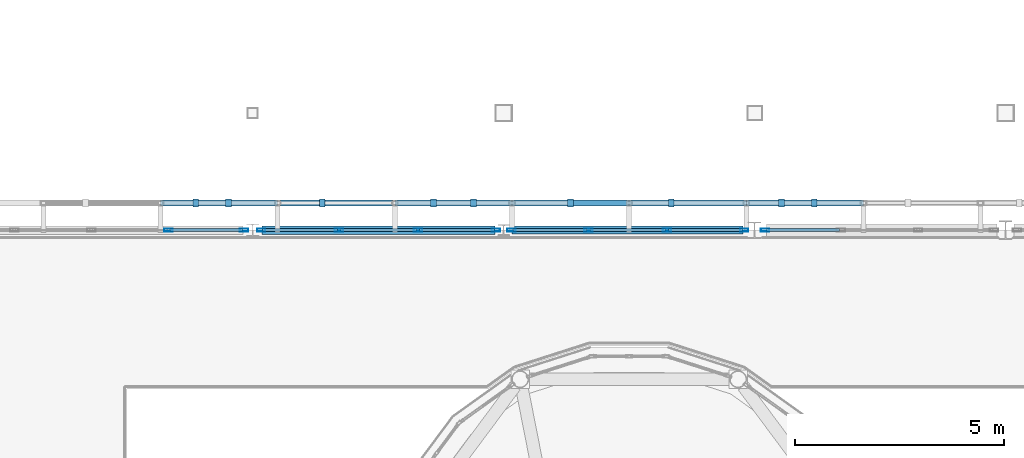
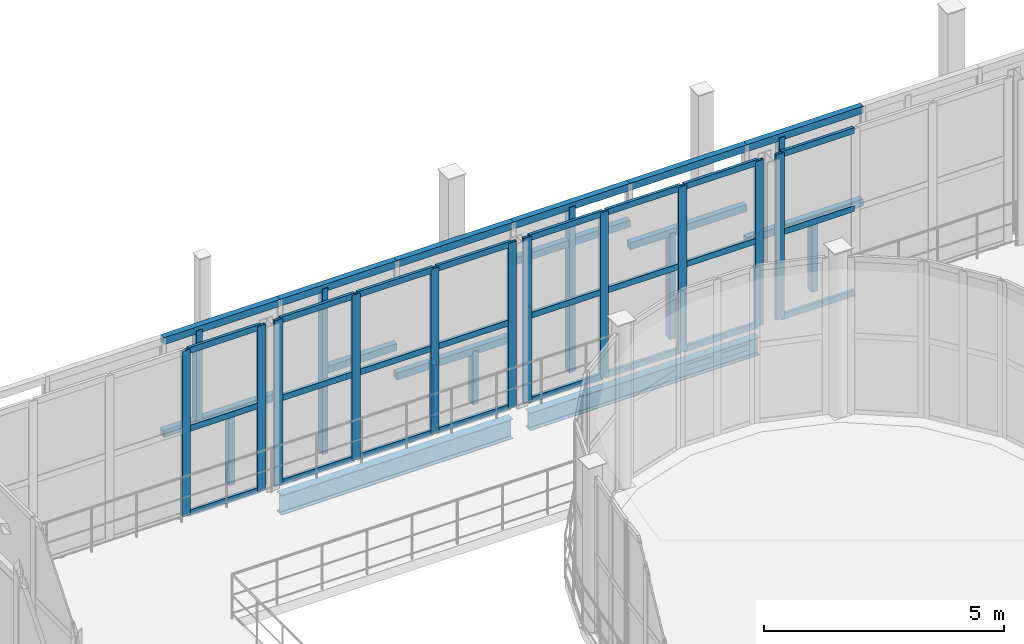
# One storey, part 50 of 121: 56 members, 2 beams, 4 elements without a shape of their own.
"""IFC4 building model written with IfcOpenShell, lengths in metres."""

from ifc_helpers import new_model, si_unit, direction, frame, origin, origin_2d, place, context, subcontext, project, spatial, rectangle, hollow_rectangle, i_section, extrude, material, layer, layer_set, material_profile, profile_set, type_object, element, aggregate, save


model = new_model("IFC4")

# Units and contexts
model_context = context("Model", 3, precision=1e-05, world=origin(), true_north=direction((0.0, 1.0)))
body_context = subcontext(model_context, "Body", "Model", "MODEL_VIEW")
ifc_project = project(units=[si_unit("LENGTHUNIT", "METRE"), si_unit("AREAUNIT", "SQUARE_METRE"), si_unit("VOLUMEUNIT", "CUBIC_METRE"), si_unit("PLANEANGLEUNIT", "RADIAN"), si_unit("MASSUNIT", "GRAM", prefix="KILO")], contexts=[model_context])

# Site, building, storey
site_placement = place(None, origin())
site = spatial("IfcSite", under=ifc_project, at=site_placement, CompositionType="ELEMENT")
building_placement = place(site_placement, origin())
building = spatial("IfcBuilding", under=site, at=building_placement, Name="Vinh Khe Railworks Police Headquarters", CompositionType="ELEMENT")
storey_placement = place(building_placement, frame((0.0, 0.0, 4.800048828125)))
storey = spatial("IfcBuildingStorey", under=building, at=storey_placement, Name="L01", CompositionType="ELEMENT", Elevation=4.800048828125)

# Members
ifc_material_1 = material(Name="Salvaged ironwood timber", Category="wood")
ifc_material_profile_1 = material_profile(ifc_material_1, rectangle(XDim=0.139892578125, YDim=0.179931640625, at=origin_2d()), Name="TIMBER 140x180")
ifc_profile_set_1 = profile_set([ifc_material_profile_1], Name="Salvaged ironwood timber")
member_type_1 = type_object("IfcMemberType", Name="MEM-QUILT-STILE", PredefinedType="CHORD", material=ifc_profile_set_1)
for number, where, z_axis, x_axis, name in (
    (1, (32.0, 59.449951171875, 4.119873046875), (1.0, 0.0, 0.0), (0.0, 1.0, 0.0), "Salvaged Timber Quilt Transom N-L01-02-TOP"),
    (2, (32.0, 59.449951171875, 1.763916015625), (1.0, 0.0, 0.0), (0.0, 1.0, 0.0), "Salvaged Timber Quilt Transom N-L01-02-M1"),
):
    element("IfcMember", number, at=place(storey_placement, frame(where, z_axis=z_axis, x_axis=x_axis)), inside=storey, type_object=member_type_1, Name=name, PredefinedType="CHORD", context=body_context, shape_type="SweptSolid", body=[
        extrude(rectangle(XDim=0.139892578125, YDim=0.179931640625, at=origin_2d()), origin(), (0.0, 0.0, 1.0), 2.800048828125),
    ])
member_1_placement = place(storey_placement, frame((33.6240234375, 59.449951171875, -0.080078125), z_axis=(0.0, 0.0, 1.0), x_axis=(1.0, 0.0, 0.0)))
element("IfcMember", 3, at=member_1_placement, inside=storey, type_object=member_type_1, Name="Salvaged Timber Quilt Stile N-L01-02-V1", PredefinedType="POST", context=body_context, shape_type="SweptSolid", body=[
    extrude(rectangle(XDim=0.139892578125, YDim=0.179931640625, at=origin_2d()), origin(), (0.0, 0.0, 1.0), 1.843994140625),
])
member_2_placement = place(storey_placement, frame((32.840087890625, 59.449951171875, 1.763916015625), z_axis=(0.0, 0.0, 1.0), x_axis=(1.0, 0.0, 0.0)))
element("IfcMember", 4, at=member_2_placement, inside=storey, type_object=member_type_1, Name="Salvaged Timber Quilt Stile N-L01-02-V2", PredefinedType="POST", context=body_context, shape_type="SweptSolid", body=[
    extrude(rectangle(XDim=0.139892578125, YDim=0.179931640625, at=origin_2d()), origin(), (0.0, 0.0, 1.0), 2.35595703125),
])
member_3_placement = place(storey_placement, frame((34.800048828125, 59.449951171875, 4.119873046875), z_axis=(1.0, 0.0, 0.0), x_axis=(0.0, 1.0, 0.0)))
element("IfcMember", 5, at=member_3_placement, inside=storey, type_object=member_type_1, Name="Salvaged Timber Quilt Transom N-L01-03-TOP", PredefinedType="CHORD", context=body_context, shape_type="SweptSolid", body=[
    extrude(rectangle(XDim=0.139892578125, YDim=0.179931640625, at=origin_2d()), origin(), (0.0, 0.0, 1.0), 2.800048828125),
])
member_4_placement = place(storey_placement, frame((35.864013671875, 59.449951171875, -0.080078125), z_axis=(0.0, 0.0, 1.0), x_axis=(1.0, 0.0, 0.0)))
element("IfcMember", 6, at=member_4_placement, inside=storey, type_object=member_type_1, Name="Salvaged Timber Quilt Stile N-L01-03-V1", PredefinedType="POST", context=body_context, shape_type="SweptSolid", body=[
    extrude(rectangle(XDim=0.139892578125, YDim=0.179931640625, at=origin_2d()), origin(), (0.0, 0.0, 1.0), 4.199951171875),
])
member_5_placement = place(storey_placement, frame((35.864013671875, 59.449951171875, 2.015869140625), z_axis=(1.0, 0.0, 0.0), x_axis=(0.0, 1.0, 0.0)))
element("IfcMember", 7, at=member_5_placement, inside=storey, type_object=member_type_1, Name="Salvaged Timber Quilt Transom N-L01-03-M1", PredefinedType="CHORD", context=body_context, shape_type="SweptSolid", body=[
    extrude(rectangle(XDim=0.139892578125, YDim=0.179931640625, at=origin_2d()), origin(), (0.0, 0.0, 1.0), 1.736083984375),
])
for number, where, z_axis, x_axis, name in (
    (8, (37.60009765625, 59.449951171875, 4.119873046875), (1.0, 0.0, 0.0), (0.0, 1.0, 0.0), "Salvaged Timber Quilt Transom N-L01-04-TOP"),
    (9, (37.60009765625, 59.449951171875, 1.260009765625), (1.0, 0.0, 0.0), (0.0, 1.0, 0.0), "Salvaged Timber Quilt Transom N-L01-04-M1"),
):
    element("IfcMember", number, at=place(storey_placement, frame(where, z_axis=z_axis, x_axis=x_axis)), inside=storey, type_object=member_type_1, Name=name, PredefinedType="CHORD", context=body_context, shape_type="SweptSolid", body=[
        extrude(rectangle(XDim=0.139892578125, YDim=0.179931640625, at=origin_2d()), origin(), (0.0, 0.0, 1.0), 2.7998046875),
    ])
for number, where, z_axis, x_axis, name in (
    (10, (38.52392578125, 59.449951171875, -0.080078125), (0.0, 0.0, 1.0), (1.0, 0.0, 0.0), "Salvaged Timber Quilt Stile N-L01-04-V1"),
    (11, (39.47607421875, 59.449951171875, -0.080078125), (0.0, 0.0, 1.0), (1.0, 0.0, 0.0), "Salvaged Timber Quilt Stile N-L01-04-V2"),
):
    element("IfcMember", number, at=place(storey_placement, frame(where, z_axis=z_axis, x_axis=x_axis)), inside=storey, type_object=member_type_1, Name=name, PredefinedType="POST", context=body_context, shape_type="SweptSolid", body=[
        extrude(rectangle(XDim=0.139892578125, YDim=0.179931640625, at=origin_2d()), origin(), (0.0, 0.0, 1.0), 1.340087890625),
    ])
for number, where, z_axis, x_axis, name in (
    (12, (40.39990234375, 59.449951171875, 4.119873046875), (1.0, 0.0, 0.0), (0.0, 1.0, 0.0), "Salvaged Timber Quilt Transom N-L01-05-TOP"),
    (13, (40.39990234375, 59.449951171875, 3.19189453125), (1.0, 0.0, 0.0), (0.0, 1.0, 0.0), "Salvaged Timber Quilt Transom N-L01-05-M1"),
):
    element("IfcMember", number, at=place(storey_placement, frame(where, z_axis=z_axis, x_axis=x_axis)), inside=storey, type_object=member_type_1, Name=name, PredefinedType="CHORD", context=body_context, shape_type="SweptSolid", body=[
        extrude(rectangle(XDim=0.139892578125, YDim=0.179931640625, at=origin_2d()), origin(), (0.0, 0.0, 1.0), 2.800048828125),
    ])
member_6_placement = place(storey_placement, frame((41.800048828125, 59.449951171875, -0.080078125), z_axis=(0.0, 0.0, 1.0), x_axis=(1.0, 0.0, 0.0)))
element("IfcMember", 14, at=member_6_placement, inside=storey, type_object=member_type_1, Name="Salvaged Timber Quilt Stile N-L01-05-V1", PredefinedType="POST", context=body_context, shape_type="SweptSolid", body=[
    extrude(rectangle(XDim=0.139892578125, YDim=0.179931640625, at=origin_2d()), origin(), (0.0, 0.0, 1.0), 4.199951171875),
])
for number, where, z_axis, x_axis, name in (
    (15, (43.199951171875, 59.449951171875, 4.119873046875), (1.0, 0.0, 0.0), (0.0, 1.0, 0.0), "Salvaged Timber Quilt Transom N-L01-06-TOP"),
    (16, (43.199951171875, 59.449951171875, 2.60400390625), (1.0, 0.0, 0.0), (0.0, 1.0, 0.0), "Salvaged Timber Quilt Transom N-L01-06-M1"),
):
    element("IfcMember", number, at=place(storey_placement, frame(where, z_axis=z_axis, x_axis=x_axis)), inside=storey, type_object=member_type_1, Name=name, PredefinedType="CHORD", context=body_context, shape_type="SweptSolid", body=[
        extrude(rectangle(XDim=0.139892578125, YDim=0.179931640625, at=origin_2d()), origin(), (0.0, 0.0, 1.0), 2.800048828125),
    ])
member_7_placement = place(storey_placement, frame((44.2080078125, 59.449951171875, -0.080078125), z_axis=(0.0, 0.0, 1.0), x_axis=(1.0, 0.0, 0.0)))
element("IfcMember", 17, at=member_7_placement, inside=storey, type_object=member_type_1, Name="Salvaged Timber Quilt Stile N-L01-06-V1", PredefinedType="POST", context=body_context, shape_type="SweptSolid", body=[
    extrude(rectangle(XDim=0.139892578125, YDim=0.179931640625, at=origin_2d()), origin(), (0.0, 0.0, 1.0), 2.68408203125),
])
for number, where, z_axis, x_axis, name in (
    (18, (46.0, 59.449951171875, 4.119873046875), (1.0, 0.0, 0.0), (0.0, 1.0, 0.0), "Salvaged Timber Quilt Transom N-L01-07-TOP"),
    (19, (46.0, 59.449951171875, 1.763916015625), (1.0, 0.0, 0.0), (0.0, 1.0, 0.0), "Salvaged Timber Quilt Transom N-L01-07-M1"),
):
    element("IfcMember", number, at=place(storey_placement, frame(where, z_axis=z_axis, x_axis=x_axis)), inside=storey, type_object=member_type_1, Name=name, PredefinedType="CHORD", context=body_context, shape_type="SweptSolid", body=[
        extrude(rectangle(XDim=0.139892578125, YDim=0.179931640625, at=origin_2d()), origin(), (0.0, 0.0, 1.0), 2.800048828125),
    ])
member_8_placement = place(storey_placement, frame((47.6240234375, 59.449951171875, -0.080078125), z_axis=(0.0, 0.0, 1.0), x_axis=(1.0, 0.0, 0.0)))
element("IfcMember", 20, at=member_8_placement, inside=storey, type_object=member_type_1, Name="Salvaged Timber Quilt Stile N-L01-07-V1", PredefinedType="POST", context=body_context, shape_type="SweptSolid", body=[
    extrude(rectangle(XDim=0.139892578125, YDim=0.179931640625, at=origin_2d()), origin(), (0.0, 0.0, 1.0), 1.843994140625),
])
member_9_placement = place(storey_placement, frame((46.840087890625, 59.449951171875, 1.763916015625), z_axis=(0.0, 0.0, 1.0), x_axis=(1.0, 0.0, 0.0)))
element("IfcMember", 21, at=member_9_placement, inside=storey, type_object=member_type_1, Name="Salvaged Timber Quilt Stile N-L01-07-V2", PredefinedType="POST", context=body_context, shape_type="SweptSolid", body=[
    extrude(rectangle(XDim=0.139892578125, YDim=0.179931640625, at=origin_2d()), origin(), (0.0, 0.0, 1.0), 2.35595703125),
])

# Curtain wall, members
ifc_material_2 = material(Name="Anodised aluminium and low-iron glass", Category="aluminium")
ifc_layer = layer(ifc_material_2, 0.179931640625)
ifc_layer_set = layer_set([ifc_layer], Name="Anodised aluminium and low-iron glass")
curtain_wall_type = type_object("IfcCurtainWallType", Name="CW-CUBE-UNIT", PredefinedType="USERDEFINED", material=ifc_layer_set)
curtain_wall_1_placement = place(storey_placement, origin())
curtain_wall_1 = element("IfcCurtainWall", 22, at=curtain_wall_1_placement, inside=storey, type_object=curtain_wall_type, Name="Entrance Hall Curtain Wall L01 N-1", ObjectType="UNITISED GLAZING", PredefinedType="USERDEFINED")
ifc_material_3 = material(Name="Anodised aluminium 6063-T6", Category="aluminium")
ifc_material_profile_2 = material_profile(ifc_material_3, hollow_rectangle(XDim=0.070068359375, YDim=0.199951171875, WallThickness=0.0048828125, at=origin_2d()), Name="CW-M 70x200x5")
ifc_profile_set_2 = profile_set([ifc_material_profile_2], Name="Anodised aluminium 6063-T6")
member_type_2 = type_object("IfcMemberType", Name="MULL-CWM-03", PredefinedType="MULLION", material=ifc_profile_set_2)
member_10_placement = place(storey_placement, frame((32.188720703125, 58.800048828125, 0.0), z_axis=(0.0, 0.0, 1.0), x_axis=(0.0, 1.0, 0.0)))
member_10 = element("IfcMember", 23, at=member_10_placement, type_object=member_type_2, Name="CW-01 mullion 4", PredefinedType="MULLION", context=body_context, shape_type="SweptSolid", body=[
    extrude(hollow_rectangle(XDim=0.070068359375, YDim=0.199951171875, WallThickness=0.0048828125, at=origin_2d()), origin(), (0.0, 0.0, 1.0), 4.199951171875),
])
member_11_placement = place(storey_placement, frame((33.9951171875, 58.800048828125, 0.0), z_axis=(0.0, 0.0, 1.0), x_axis=(0.0, 1.0, 0.0)))
member_11 = element("IfcMember", 24, at=member_11_placement, type_object=member_type_2, Name="CW-01 mullion 5", PredefinedType="MULLION", context=body_context, shape_type="SweptSolid", body=[
    extrude(hollow_rectangle(XDim=0.070068359375, YDim=0.199951171875, WallThickness=0.0048828125, at=origin_2d()), origin(), (0.0, 0.0, 1.0), 4.199951171875),
])

curtain_wall_2_placement = place(storey_placement, origin())
curtain_wall_2 = element("IfcCurtainWall", 25, at=curtain_wall_2_placement, inside=storey, type_object=curtain_wall_type, Name="Entrance Hall Curtain Wall L01 N-2", ObjectType="UNITISED GLAZING", PredefinedType="USERDEFINED")
member_12_placement = place(storey_placement, frame((34.405029296875, 58.800048828125, 0.0), z_axis=(0.0, 0.0, 1.0), x_axis=(0.0, 1.0, 0.0)))
member_12 = element("IfcMember", 26, at=member_12_placement, type_object=member_type_2, Name="CW-01 mullion 1", PredefinedType="MULLION", context=body_context, shape_type="SweptSolid", body=[
    extrude(hollow_rectangle(XDim=0.070068359375, YDim=0.199951171875, WallThickness=0.0048828125, at=origin_2d()), origin(), (0.0, 0.0, 1.0), 4.199951171875),
])
member_13_placement = place(storey_placement, frame((36.263427734375, 58.800048828125, 0.0), z_axis=(0.0, 0.0, 1.0), x_axis=(0.0, 1.0, 0.0)))
member_13 = element("IfcMember", 27, at=member_13_placement, type_object=member_type_2, Name="CW-01 mullion 2", PredefinedType="MULLION", context=body_context, shape_type="SweptSolid", body=[
    extrude(hollow_rectangle(XDim=0.070068359375, YDim=0.199951171875, WallThickness=0.0048828125, at=origin_2d()), origin(), (0.0, 0.0, 1.0), 4.199951171875),
])
member_14_placement = place(storey_placement, frame((38.15673828125, 58.800048828125, 0.0), z_axis=(0.0, 0.0, 1.0), x_axis=(0.0, 1.0, 0.0)))
member_14 = element("IfcMember", 28, at=member_14_placement, type_object=member_type_2, Name="CW-01 mullion 3", PredefinedType="MULLION", context=body_context, shape_type="SweptSolid", body=[
    extrude(hollow_rectangle(XDim=0.070068359375, YDim=0.199951171875, WallThickness=0.0048828125, at=origin_2d()), origin(), (0.0, 0.0, 1.0), 4.199951171875),
])
member_15_placement = place(storey_placement, frame((40.014892578125, 58.800048828125, 0.0), z_axis=(0.0, 0.0, 1.0), x_axis=(0.0, 1.0, 0.0)))
member_15 = element("IfcMember", 29, at=member_15_placement, type_object=member_type_2, Name="CW-01 mullion 4", PredefinedType="MULLION", context=body_context, shape_type="SweptSolid", body=[
    extrude(hollow_rectangle(XDim=0.070068359375, YDim=0.199951171875, WallThickness=0.0048828125, at=origin_2d()), origin(), (0.0, 0.0, 1.0), 4.199951171875),
])

curtain_wall_3_placement = place(storey_placement, origin())
curtain_wall_3 = element("IfcCurtainWall", 30, at=curtain_wall_3_placement, inside=storey, type_object=curtain_wall_type, Name="Entrance Hall Curtain Wall L01 N-3", ObjectType="UNITISED GLAZING", PredefinedType="USERDEFINED")
member_16_placement = place(storey_placement, frame((40.385009765625, 58.800048828125, 0.0), z_axis=(0.0, 0.0, 1.0), x_axis=(0.0, 1.0, 0.0)))
member_16 = element("IfcMember", 31, at=member_16_placement, type_object=member_type_2, Name="CW-01 mullion 1", PredefinedType="MULLION", context=body_context, shape_type="SweptSolid", body=[
    extrude(hollow_rectangle(XDim=0.070068359375, YDim=0.199951171875, WallThickness=0.0048828125, at=origin_2d()), origin(), (0.0, 0.0, 1.0), 4.199951171875),
])
member_17_placement = place(storey_placement, frame((42.228271484375, 58.800048828125, 0.0), z_axis=(0.0, 0.0, 1.0), x_axis=(0.0, 1.0, 0.0)))
member_17 = element("IfcMember", 32, at=member_17_placement, type_object=member_type_2, Name="CW-01 mullion 2", PredefinedType="MULLION", context=body_context, shape_type="SweptSolid", body=[
    extrude(hollow_rectangle(XDim=0.070068359375, YDim=0.199951171875, WallThickness=0.0048828125, at=origin_2d()), origin(), (0.0, 0.0, 1.0), 4.199951171875),
])
member_18_placement = place(storey_placement, frame((44.106689453125, 58.800048828125, 0.0), z_axis=(0.0, 0.0, 1.0), x_axis=(0.0, 1.0, 0.0)))
member_18 = element("IfcMember", 33, at=member_18_placement, type_object=member_type_2, Name="CW-01 mullion 3", PredefinedType="MULLION", context=body_context, shape_type="SweptSolid", body=[
    extrude(hollow_rectangle(XDim=0.070068359375, YDim=0.199951171875, WallThickness=0.0048828125, at=origin_2d()), origin(), (0.0, 0.0, 1.0), 4.199951171875),
])
member_19_placement = place(storey_placement, frame((45.949951171875, 58.800048828125, 0.0), z_axis=(0.0, 0.0, 1.0), x_axis=(0.0, 1.0, 0.0)))
member_19 = element("IfcMember", 34, at=member_19_placement, type_object=member_type_2, Name="CW-01 mullion 4", PredefinedType="MULLION", context=body_context, shape_type="SweptSolid", body=[
    extrude(hollow_rectangle(XDim=0.070068359375, YDim=0.199951171875, WallThickness=0.0048828125, at=origin_2d()), origin(), (0.0, 0.0, 1.0), 4.199951171875),
])

# Curtain wall, member
curtain_wall_4_placement = place(storey_placement, origin())
curtain_wall_4 = element("IfcCurtainWall", 35, at=curtain_wall_4_placement, inside=storey, type_object=curtain_wall_type, Name="Entrance Hall Curtain Wall L01 N-4", ObjectType="UNITISED GLAZING", PredefinedType="USERDEFINED")
member_20_placement = place(storey_placement, frame((46.449951171875, 58.800048828125, 0.0), z_axis=(0.0, 0.0, 1.0), x_axis=(0.0, 1.0, 0.0)))
member_20 = element("IfcMember", 36, at=member_20_placement, type_object=member_type_2, Name="CW-01 mullion 1", PredefinedType="MULLION", context=body_context, shape_type="SweptSolid", body=[
    extrude(hollow_rectangle(XDim=0.070068359375, YDim=0.199951171875, WallThickness=0.0048828125, at=origin_2d()), origin(), (0.0, 0.0, 1.0), 4.199951171875),
])

# Beams
ifc_material_4 = material(Name="Steel S355JR", Category="steel")
ifc_material_profile_3 = material_profile(ifc_material_4, i_section(OverallWidth=0.18994140625, OverallDepth=0.449951171875, WebThickness=0.009521484375, FlangeThickness=0.0146484375, FilletRadius=0.02099609375, at=origin_2d()), Name="IPE 450")
ifc_profile_set_3 = profile_set([ifc_material_profile_3], Name="Steel S355JR")
beam_type_1 = type_object("IfcBeamType", Name="Steel Girder IPE 450", PredefinedType="BEAM", material=ifc_profile_set_3)
beam_1_placement = place(storey_placement, frame((40.405029296875, 58.800048828125, -0.465087890625), z_axis=(1.0, 0.0, 0.0), x_axis=(0.0, 1.0, 0.0)))
element("IfcBeam", 37, at=beam_1_placement, inside=storey, type_object=beam_type_1, Name="Girder BM-L01-EW-SB-20-0462", PredefinedType="BEAM", context=body_context, shape_type="SweptSolid", body=[
    extrude(i_section(OverallWidth=0.18994140625, OverallDepth=0.449951171875, WebThickness=0.009521484375, FlangeThickness=0.0146484375, FilletRadius=0.02099609375, at=origin_2d()), origin(), (0.0, 0.0, 1.0), 5.514892578125),
])
ifc_material_profile_4 = material_profile(ifc_material_4, i_section(OverallWidth=0.199951171875, OverallDepth=0.5, WebThickness=0.01025390625, FlangeThickness=0.01611328125, FilletRadius=0.02099609375, at=origin_2d()), Name="IPE 500")
ifc_profile_set_4 = profile_set([ifc_material_profile_4], Name="Steel S355JR")
beam_type_2 = type_object("IfcBeamType", Name="Steel Girder IPE 500", PredefinedType="BEAM", material=ifc_profile_set_4)
beam_2_placement = place(storey_placement, frame((34.429931640625, 58.800048828125, -0.489990234375), z_axis=(1.0, 0.0, 0.0), x_axis=(0.0, 1.0, 0.0)))
element("IfcBeam", 38, at=beam_2_placement, inside=storey, type_object=beam_type_2, Name="Girder BM-L01-EW-SB-19-0461", PredefinedType="BEAM", context=body_context, shape_type="SweptSolid", body=[
    extrude(i_section(OverallWidth=0.199951171875, OverallDepth=0.5, WebThickness=0.01025390625, FlangeThickness=0.01611328125, FilletRadius=0.02099609375, at=origin_2d()), origin(), (0.0, 0.0, 1.0), 5.565185546875),
])

# Member
ifc_material_profile_5 = material_profile(ifc_material_3, hollow_rectangle(XDim=0.070068359375, YDim=0.14990234375, WallThickness=0.0048828125, at=origin_2d()), Name="CW-T 70x150x5")
ifc_profile_set_5 = profile_set([ifc_material_profile_5], Name="Anodised aluminium 6063-T6")
member_type_3 = type_object("IfcMemberType", Name="TRAN-CWT-03", PredefinedType="USERDEFINED", material=ifc_profile_set_5)
member_21_placement = place(storey_placement, frame((32.2236328125, 58.800048828125, 0.034912109375), z_axis=(1.0, 0.0, 0.0), x_axis=(0.0, 1.0, 0.0)))
member_21 = element("IfcMember", 39, at=member_21_placement, type_object=member_type_3, Name="CW-01 transom 4.1", ObjectType="TRANSOM", PredefinedType="USERDEFINED", context=body_context, shape_type="SweptSolid", body=[
    extrude(hollow_rectangle(XDim=0.070068359375, YDim=0.14990234375, WallThickness=0.0048828125, at=origin_2d()), origin(), (0.0, 0.0, 1.0), 1.736328125),
])

member_22_placement = place(storey_placement, frame((32.2236328125, 58.800048828125, 2.183837890625), z_axis=(1.0, 0.0, 0.0), x_axis=(0.0, 1.0, 0.0)))
member_22 = element("IfcMember", 40, at=member_22_placement, type_object=member_type_3, Name="CW-01 transom 4.2", ObjectType="TRANSOM", PredefinedType="USERDEFINED", context=body_context, shape_type="SweptSolid", body=[
    extrude(hollow_rectangle(XDim=0.070068359375, YDim=0.14990234375, WallThickness=0.0048828125, at=origin_2d()), origin(), (0.0, 0.0, 1.0), 1.736328125),
])

member_23_placement = place(storey_placement, frame((32.2236328125, 58.800048828125, 4.1650390625), z_axis=(1.0, 0.0, 0.0), x_axis=(0.0, 1.0, 0.0)))
member_23 = element("IfcMember", 41, at=member_23_placement, type_object=member_type_3, Name="CW-01 transom 4.3", ObjectType="TRANSOM", PredefinedType="USERDEFINED", context=body_context, shape_type="SweptSolid", body=[
    extrude(hollow_rectangle(XDim=0.070068359375, YDim=0.14990234375, WallThickness=0.0048828125, at=origin_2d()), origin(), (0.0, 0.0, 1.0), 1.736328125),
])

aggregate(curtain_wall_1, [member_10, member_11, member_21, member_22, member_23])

member_24_placement = place(storey_placement, frame((34.43994140625, 58.800048828125, 0.034912109375), z_axis=(1.0, 0.0, 0.0), x_axis=(0.0, 1.0, 0.0)))
member_24 = element("IfcMember", 42, at=member_24_placement, type_object=member_type_3, Name="CW-01 transom 1.1", ObjectType="TRANSOM", PredefinedType="USERDEFINED", context=body_context, shape_type="SweptSolid", body=[
    extrude(hollow_rectangle(XDim=0.070068359375, YDim=0.14990234375, WallThickness=0.0048828125, at=origin_2d()), origin(), (0.0, 0.0, 1.0), 1.788330078125),
])

member_25_placement = place(storey_placement, frame((34.43994140625, 58.800048828125, 2.183837890625), z_axis=(1.0, 0.0, 0.0), x_axis=(0.0, 1.0, 0.0)))
member_25 = element("IfcMember", 43, at=member_25_placement, type_object=member_type_3, Name="CW-01 transom 1.2", ObjectType="TRANSOM", PredefinedType="USERDEFINED", context=body_context, shape_type="SweptSolid", body=[
    extrude(hollow_rectangle(XDim=0.070068359375, YDim=0.14990234375, WallThickness=0.0048828125, at=origin_2d()), origin(), (0.0, 0.0, 1.0), 1.788330078125),
])

member_26_placement = place(storey_placement, frame((34.43994140625, 58.800048828125, 4.1650390625), z_axis=(1.0, 0.0, 0.0), x_axis=(0.0, 1.0, 0.0)))
member_26 = element("IfcMember", 44, at=member_26_placement, type_object=member_type_3, Name="CW-01 transom 1.3", ObjectType="TRANSOM", PredefinedType="USERDEFINED", context=body_context, shape_type="SweptSolid", body=[
    extrude(hollow_rectangle(XDim=0.070068359375, YDim=0.14990234375, WallThickness=0.0048828125, at=origin_2d()), origin(), (0.0, 0.0, 1.0), 1.788330078125),
])

member_27_placement = place(storey_placement, frame((36.29833984375, 58.800048828125, 0.034912109375), z_axis=(1.0, 0.0, 0.0), x_axis=(0.0, 1.0, 0.0)))
member_27 = element("IfcMember", 45, at=member_27_placement, type_object=member_type_3, Name="CW-01 transom 2.1", ObjectType="TRANSOM", PredefinedType="USERDEFINED", context=body_context, shape_type="SweptSolid", body=[
    extrude(hollow_rectangle(XDim=0.070068359375, YDim=0.14990234375, WallThickness=0.0048828125, at=origin_2d()), origin(), (0.0, 0.0, 1.0), 1.8232421875),
])

member_28_placement = place(storey_placement, frame((36.29833984375, 58.800048828125, 2.183837890625), z_axis=(1.0, 0.0, 0.0), x_axis=(0.0, 1.0, 0.0)))
member_28 = element("IfcMember", 46, at=member_28_placement, type_object=member_type_3, Name="CW-01 transom 2.2", ObjectType="TRANSOM", PredefinedType="USERDEFINED", context=body_context, shape_type="SweptSolid", body=[
    extrude(hollow_rectangle(XDim=0.070068359375, YDim=0.14990234375, WallThickness=0.0048828125, at=origin_2d()), origin(), (0.0, 0.0, 1.0), 1.8232421875),
])

member_29_placement = place(storey_placement, frame((36.29833984375, 58.800048828125, 4.1650390625), z_axis=(1.0, 0.0, 0.0), x_axis=(0.0, 1.0, 0.0)))
member_29 = element("IfcMember", 47, at=member_29_placement, type_object=member_type_3, Name="CW-01 transom 2.3", ObjectType="TRANSOM", PredefinedType="USERDEFINED", context=body_context, shape_type="SweptSolid", body=[
    extrude(hollow_rectangle(XDim=0.070068359375, YDim=0.14990234375, WallThickness=0.0048828125, at=origin_2d()), origin(), (0.0, 0.0, 1.0), 1.8232421875),
])

member_30_placement = place(storey_placement, frame((38.191650390625, 58.800048828125, 0.034912109375), z_axis=(1.0, 0.0, 0.0), x_axis=(0.0, 1.0, 0.0)))
member_30 = element("IfcMember", 48, at=member_30_placement, type_object=member_type_3, Name="CW-01 transom 3.1", ObjectType="TRANSOM", PredefinedType="USERDEFINED", context=body_context, shape_type="SweptSolid", body=[
    extrude(hollow_rectangle(XDim=0.070068359375, YDim=0.14990234375, WallThickness=0.0048828125, at=origin_2d()), origin(), (0.0, 0.0, 1.0), 1.788330078125),
])

member_31_placement = place(storey_placement, frame((38.191650390625, 58.800048828125, 2.183837890625), z_axis=(1.0, 0.0, 0.0), x_axis=(0.0, 1.0, 0.0)))
member_31 = element("IfcMember", 49, at=member_31_placement, type_object=member_type_3, Name="CW-01 transom 3.2", ObjectType="TRANSOM", PredefinedType="USERDEFINED", context=body_context, shape_type="SweptSolid", body=[
    extrude(hollow_rectangle(XDim=0.070068359375, YDim=0.14990234375, WallThickness=0.0048828125, at=origin_2d()), origin(), (0.0, 0.0, 1.0), 1.788330078125),
])

member_32_placement = place(storey_placement, frame((38.191650390625, 58.800048828125, 4.1650390625), z_axis=(1.0, 0.0, 0.0), x_axis=(0.0, 1.0, 0.0)))
member_32 = element("IfcMember", 50, at=member_32_placement, type_object=member_type_3, Name="CW-01 transom 3.3", ObjectType="TRANSOM", PredefinedType="USERDEFINED", context=body_context, shape_type="SweptSolid", body=[
    extrude(hollow_rectangle(XDim=0.070068359375, YDim=0.14990234375, WallThickness=0.0048828125, at=origin_2d()), origin(), (0.0, 0.0, 1.0), 1.788330078125),
])

aggregate(curtain_wall_2, [member_12, member_13, member_14, member_15, member_24, member_25, member_26, member_27, member_28, member_29, member_30, member_31, member_32])

member_33_placement = place(storey_placement, frame((40.419921875, 58.800048828125, 0.034912109375), z_axis=(1.0, 0.0, 0.0), x_axis=(0.0, 1.0, 0.0)))
member_33 = element("IfcMember", 51, at=member_33_placement, type_object=member_type_3, Name="CW-01 transom 1.1", ObjectType="TRANSOM", PredefinedType="USERDEFINED", context=body_context, shape_type="SweptSolid", body=[
    extrude(hollow_rectangle(XDim=0.070068359375, YDim=0.14990234375, WallThickness=0.0048828125, at=origin_2d()), origin(), (0.0, 0.0, 1.0), 1.7734375),
])

member_34_placement = place(storey_placement, frame((40.419921875, 58.800048828125, 2.183837890625), z_axis=(1.0, 0.0, 0.0), x_axis=(0.0, 1.0, 0.0)))
member_34 = element("IfcMember", 52, at=member_34_placement, type_object=member_type_3, Name="CW-01 transom 1.2", ObjectType="TRANSOM", PredefinedType="USERDEFINED", context=body_context, shape_type="SweptSolid", body=[
    extrude(hollow_rectangle(XDim=0.070068359375, YDim=0.14990234375, WallThickness=0.0048828125, at=origin_2d()), origin(), (0.0, 0.0, 1.0), 1.7734375),
])

member_35_placement = place(storey_placement, frame((40.419921875, 58.800048828125, 4.1650390625), z_axis=(1.0, 0.0, 0.0), x_axis=(0.0, 1.0, 0.0)))
member_35 = element("IfcMember", 53, at=member_35_placement, type_object=member_type_3, Name="CW-01 transom 1.3", ObjectType="TRANSOM", PredefinedType="USERDEFINED", context=body_context, shape_type="SweptSolid", body=[
    extrude(hollow_rectangle(XDim=0.070068359375, YDim=0.14990234375, WallThickness=0.0048828125, at=origin_2d()), origin(), (0.0, 0.0, 1.0), 1.7734375),
])

member_36_placement = place(storey_placement, frame((42.263427734375, 58.800048828125, 0.034912109375), z_axis=(1.0, 0.0, 0.0), x_axis=(0.0, 1.0, 0.0)))
member_36 = element("IfcMember", 54, at=member_36_placement, type_object=member_type_3, Name="CW-01 transom 2.1", ObjectType="TRANSOM", PredefinedType="USERDEFINED", context=body_context, shape_type="SweptSolid", body=[
    extrude(hollow_rectangle(XDim=0.070068359375, YDim=0.14990234375, WallThickness=0.0048828125, at=origin_2d()), origin(), (0.0, 0.0, 1.0), 1.808349609375),
])

member_37_placement = place(storey_placement, frame((42.263427734375, 58.800048828125, 2.183837890625), z_axis=(1.0, 0.0, 0.0), x_axis=(0.0, 1.0, 0.0)))
member_37 = element("IfcMember", 55, at=member_37_placement, type_object=member_type_3, Name="CW-01 transom 2.2", ObjectType="TRANSOM", PredefinedType="USERDEFINED", context=body_context, shape_type="SweptSolid", body=[
    extrude(hollow_rectangle(XDim=0.070068359375, YDim=0.14990234375, WallThickness=0.0048828125, at=origin_2d()), origin(), (0.0, 0.0, 1.0), 1.808349609375),
])

member_38_placement = place(storey_placement, frame((42.263427734375, 58.800048828125, 4.1650390625), z_axis=(1.0, 0.0, 0.0), x_axis=(0.0, 1.0, 0.0)))
member_38 = element("IfcMember", 56, at=member_38_placement, type_object=member_type_3, Name="CW-01 transom 2.3", ObjectType="TRANSOM", PredefinedType="USERDEFINED", context=body_context, shape_type="SweptSolid", body=[
    extrude(hollow_rectangle(XDim=0.070068359375, YDim=0.14990234375, WallThickness=0.0048828125, at=origin_2d()), origin(), (0.0, 0.0, 1.0), 1.808349609375),
])

member_39_placement = place(storey_placement, frame((44.1416015625, 58.800048828125, 0.034912109375), z_axis=(1.0, 0.0, 0.0), x_axis=(0.0, 1.0, 0.0)))
member_39 = element("IfcMember", 57, at=member_39_placement, type_object=member_type_3, Name="CW-01 transom 3.1", ObjectType="TRANSOM", PredefinedType="USERDEFINED", context=body_context, shape_type="SweptSolid", body=[
    extrude(hollow_rectangle(XDim=0.070068359375, YDim=0.14990234375, WallThickness=0.0048828125, at=origin_2d()), origin(), (0.0, 0.0, 1.0), 1.7734375),
])

member_40_placement = place(storey_placement, frame((44.1416015625, 58.800048828125, 2.183837890625), z_axis=(1.0, 0.0, 0.0), x_axis=(0.0, 1.0, 0.0)))
member_40 = element("IfcMember", 58, at=member_40_placement, type_object=member_type_3, Name="CW-01 transom 3.2", ObjectType="TRANSOM", PredefinedType="USERDEFINED", context=body_context, shape_type="SweptSolid", body=[
    extrude(hollow_rectangle(XDim=0.070068359375, YDim=0.14990234375, WallThickness=0.0048828125, at=origin_2d()), origin(), (0.0, 0.0, 1.0), 1.7734375),
])

member_41_placement = place(storey_placement, frame((44.1416015625, 58.800048828125, 4.1650390625), z_axis=(1.0, 0.0, 0.0), x_axis=(0.0, 1.0, 0.0)))
member_41 = element("IfcMember", 59, at=member_41_placement, type_object=member_type_3, Name="CW-01 transom 3.3", ObjectType="TRANSOM", PredefinedType="USERDEFINED", context=body_context, shape_type="SweptSolid", body=[
    extrude(hollow_rectangle(XDim=0.070068359375, YDim=0.14990234375, WallThickness=0.0048828125, at=origin_2d()), origin(), (0.0, 0.0, 1.0), 1.7734375),
])

aggregate(curtain_wall_3, [member_16, member_17, member_18, member_19, member_33, member_34, member_35, member_36, member_37, member_38, member_39, member_40, member_41])

member_42_placement = place(storey_placement, frame((46.485107421875, 58.800048828125, 0.034912109375), z_axis=(1.0, 0.0, 0.0), x_axis=(0.0, 1.0, 0.0)))
member_42 = element("IfcMember", 60, at=member_42_placement, type_object=member_type_3, Name="CW-01 transom 1.1", ObjectType="TRANSOM", PredefinedType="USERDEFINED", context=body_context, shape_type="SweptSolid", body=[
    extrude(hollow_rectangle(XDim=0.070068359375, YDim=0.14990234375, WallThickness=0.0048828125, at=origin_2d()), origin(), (0.0, 0.0, 1.0), 1.7431640625),
])

member_43_placement = place(storey_placement, frame((46.485107421875, 58.800048828125, 2.183837890625), z_axis=(1.0, 0.0, 0.0), x_axis=(0.0, 1.0, 0.0)))
member_43 = element("IfcMember", 61, at=member_43_placement, type_object=member_type_3, Name="CW-01 transom 1.2", ObjectType="TRANSOM", PredefinedType="USERDEFINED", context=body_context, shape_type="SweptSolid", body=[
    extrude(hollow_rectangle(XDim=0.070068359375, YDim=0.14990234375, WallThickness=0.0048828125, at=origin_2d()), origin(), (0.0, 0.0, 1.0), 1.7431640625),
])

member_44_placement = place(storey_placement, frame((46.485107421875, 58.800048828125, 4.1650390625), z_axis=(1.0, 0.0, 0.0), x_axis=(0.0, 1.0, 0.0)))
member_44 = element("IfcMember", 62, at=member_44_placement, type_object=member_type_3, Name="CW-01 transom 1.3", ObjectType="TRANSOM", PredefinedType="USERDEFINED", context=body_context, shape_type="SweptSolid", body=[
    extrude(hollow_rectangle(XDim=0.070068359375, YDim=0.14990234375, WallThickness=0.0048828125, at=origin_2d()), origin(), (0.0, 0.0, 1.0), 1.7431640625),
])

aggregate(curtain_wall_4, [member_20, member_42, member_43, member_44])

save(model, "model.ifc")
